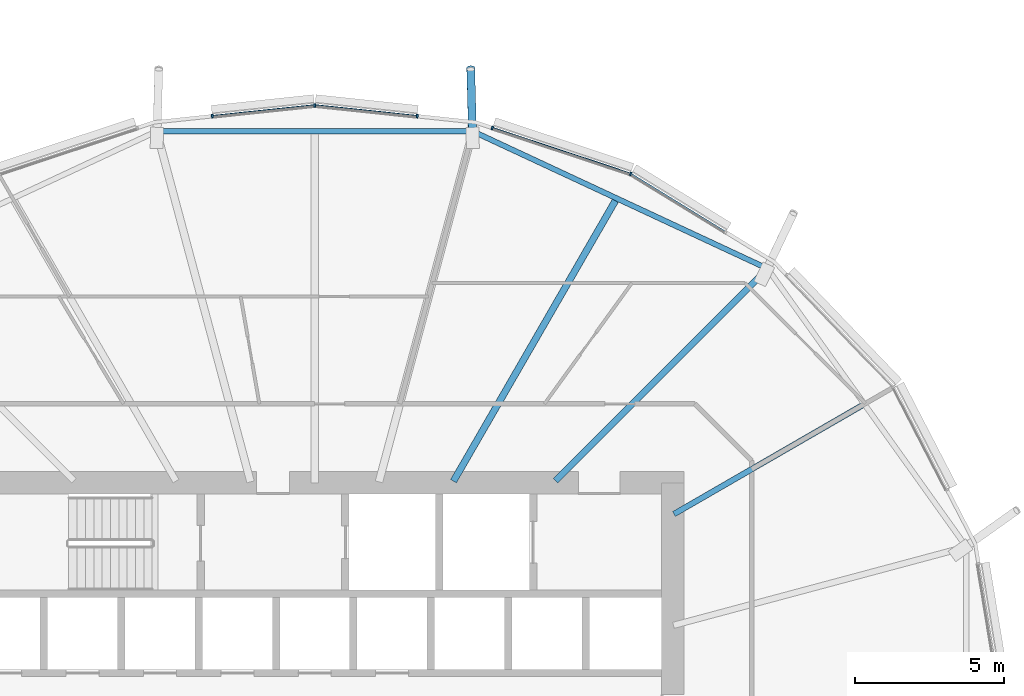
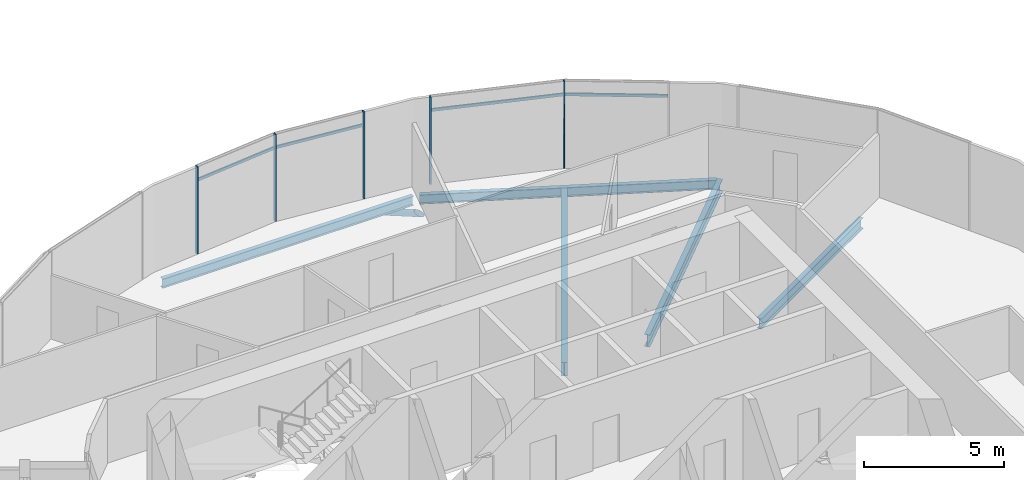
# One storey, part 11 of 38: 10 members, 5 beams, 1 element without a shape of its own.
"""IFC4 building model written with IfcOpenShell, lengths in metres."""

from ifc_helpers import new_model, si_unit, direction, frame, origin, origin_2d, place, context, subcontext, project, spatial, rectangle, hollow_circle, i_section, extrude, clip, halfspace, material, material_profile, profile_set, type_object, element, aggregate, save


model = new_model("IFC4")

# Units and contexts
model_context = context("Model", 3, precision=1e-05, world=origin(), true_north=direction((0.0, 1.0)))
body_context = subcontext(model_context, "Body", "Model", "MODEL_VIEW")
ifc_project = project(units=[si_unit("LENGTHUNIT", "METRE"), si_unit("AREAUNIT", "SQUARE_METRE"), si_unit("VOLUMEUNIT", "CUBIC_METRE"), si_unit("PLANEANGLEUNIT", "RADIAN"), si_unit("MASSUNIT", "GRAM", prefix="KILO")], contexts=[model_context])

# Site, building, storey
site_placement = place(None, origin())
site = spatial("IfcSite", under=ifc_project, at=site_placement, CompositionType="ELEMENT")
building_placement = place(site_placement, origin())
building = spatial("IfcBuilding", under=site, at=building_placement, Name="Rimbun Link Towers", CompositionType="ELEMENT")
storey_placement = place(building_placement, frame((0.0, 0.0, 119.60009765625)))
storey = spatial("IfcBuildingStorey", under=building, at=storey_placement, Name="L29", CompositionType="ELEMENT", Elevation=119.60009765625)

# Curtain wall, members
ifc_material_1 = material(Name="Aluminium 6063-T6 and low-iron glass", Category="aluminium")
curtain_wall_type = type_object("IfcCurtainWallType", Name="CW1-Z2 unitised vision wall (zone 2)", PredefinedType="NOTDEFINED", material=ifc_material_1)
curtain_wall_placement = place(storey_placement, origin())
curtain_wall = element("IfcCurtainWall", 1, at=curtain_wall_placement, inside=storey, type_object=curtain_wall_type, Name="CW1 L29 T1", PredefinedType="NOTDEFINED")
ifc_material_2 = material(Name="Aluminium 6063-T6", Category="aluminium")
ifc_material_profile_1 = material_profile(ifc_material_2, rectangle(XDim=0.1201171875, YDim=0.06005859375, at=origin_2d()), Name="MULLION 60X120")
ifc_profile_set_1 = profile_set([ifc_material_profile_1], Name="Aluminium 6063-T6")
member_type_1 = type_object("IfcMemberType", Name="CW1 mullion 60X120", PredefinedType="MULLION", material=ifc_profile_set_1)
member_1_placement = place(storey_placement, frame((-21.15380859375, 18.364013671875, 0.0), z_axis=(0.0, 0.0, 1.0), x_axis=(0.421704717158, 0.9067332196, 0.0)))
member_1 = element("IfcMember", 2, at=member_1_placement, type_object=member_type_1, Name="CW1 mullion", PredefinedType="MULLION", context=body_context, shape_type="SweptSolid", body=[
    extrude(rectangle(XDim=0.1201171875, YDim=0.06005859375, at=origin_2d()), origin(), (0.0, 0.0, 1.0), 3.7998046875),
])
member_2_placement = place(storey_placement, frame((-25.793701171875, 19.90185546875, 0.0), z_axis=(0.0, 0.0, 1.0), x_axis=(0.314563424855, 0.949236457235, 0.0)))
member_2 = element("IfcMember", 3, at=member_2_placement, type_object=member_type_1, Name="CW1 mullion", PredefinedType="MULLION", context=body_context, shape_type="SweptSolid", body=[
    extrude(rectangle(XDim=0.1201171875, YDim=0.06005859375, at=origin_2d()), origin(), (0.0, 0.0, 1.0), 3.7998046875),
])
member_3_placement = place(storey_placement, frame((-31.75, 20.6591796875, 0.0), z_axis=(0.0, 0.0, 1.0), x_axis=(0.0, 1.0, 0.0)))
member_3 = element("IfcMember", 4, at=member_3_placement, type_object=member_type_1, Name="CW1 mullion", PredefinedType="MULLION", context=body_context, shape_type="SweptSolid", body=[
    extrude(rectangle(XDim=0.1201171875, YDim=0.06005859375, at=origin_2d()), origin(), (0.0, 0.0, 1.0), 3.7998046875),
])
member_4_placement = place(storey_placement, frame((-28.31494140625, 20.297607421875, 0.0), z_axis=(0.0, 0.0, 1.0), x_axis=(0.104748434017, 0.994498750915, 0.0)))
member_4 = element("IfcMember", 5, at=member_4_placement, type_object=member_type_1, Name="CW1 mullion", PredefinedType="MULLION", context=body_context, shape_type="SweptSolid", body=[
    extrude(rectangle(XDim=0.1201171875, YDim=0.06005859375, at=origin_2d()), origin(), (0.0, 0.0, 1.0), 3.7998046875),
])
member_5_placement = place(storey_placement, frame((-35.18505859375, 20.297607421875, 0.0), z_axis=(0.0, 0.0, 1.0), x_axis=(-0.104748434017, 0.994498750915, 0.0)))
member_5 = element("IfcMember", 6, at=member_5_placement, type_object=member_type_1, Name="CW1 mullion", PredefinedType="MULLION", context=body_context, shape_type="SweptSolid", body=[
    extrude(rectangle(XDim=0.1201171875, YDim=0.06005859375, at=origin_2d()), origin(), (0.0, 0.0, 1.0), 3.7998046875),
])
ifc_material_3 = material(Name="Aluminium 6063-T6", Category="aluminium")
ifc_material_profile_2 = material_profile(ifc_material_3, rectangle(XDim=0.06005859375, YDim=0.1201171875, at=origin_2d()), Name="TRANSOM 60X120")
ifc_profile_set_2 = profile_set([ifc_material_profile_2], Name="Aluminium 6063-T6")
member_type_2 = type_object("IfcMemberType", Name="CW1 transom 60X120", PredefinedType="USERDEFINED", material=ifc_profile_set_2)
member_6_placement = place(storey_placement, frame((-21.123046875, 18.34326171875, 3.199951171875), z_axis=(0.852165495326, -0.523272365576, 0.0), x_axis=(0.523272365576, 0.852165495326, 0.0)))
member_6 = element("IfcMember", 7, at=member_6_placement, type_object=member_type_2, Name="CW1 transom", ObjectType="TRANSOM", PredefinedType="USERDEFINED", context=body_context, shape_type="SweptSolid", body=[
    extrude(rectangle(XDim=0.06005859375, YDim=0.1201171875, at=origin_2d()), origin(), (0.0, 0.0, 1.0), 3.666259765625),
])
member_7_placement = place(storey_placement, frame((-25.765625, 19.890625, 3.199951171875), z_axis=(0.94923382133, -0.314571378933, 0.0), x_axis=(0.314571378933, 0.94923382133, 0.0)))
member_7 = element("IfcMember", 8, at=member_7_placement, type_object=member_type_2, Name="CW1 transom", ObjectType="TRANSOM", PredefinedType="USERDEFINED", context=body_context, shape_type="SweptSolid", body=[
    extrude(rectangle(XDim=0.06005859375, YDim=0.1201171875, at=origin_2d()), origin(), (0.0, 0.0, 1.0), 4.8212890625),
])
member_8_placement = place(storey_placement, frame((-31.714111328125, 20.653564453125, 3.199951171875), z_axis=(0.994502688422, -0.104711043933, 0.0), x_axis=(0.104711043933, 0.994502688422, 0.0)))
member_8 = element("IfcMember", 9, at=member_8_placement, type_object=member_type_2, Name="CW1 transom", ObjectType="TRANSOM", PredefinedType="USERDEFINED", context=body_context, shape_type="SweptSolid", body=[
    extrude(rectangle(XDim=0.06005859375, YDim=0.1201171875, at=origin_2d()), origin(), (0.0, 0.0, 1.0), 3.3876953125),
])
member_9_placement = place(storey_placement, frame((-35.155029296875, 20.298828125, 3.199951171875), z_axis=(0.994502688422, 0.104711043933, 0.0), x_axis=(-0.104711043933, 0.994502688422, 0.0)))
member_9 = element("IfcMember", 10, at=member_9_placement, type_object=member_type_2, Name="CW1 transom", ObjectType="TRANSOM", PredefinedType="USERDEFINED", context=body_context, shape_type="SweptSolid", body=[
    extrude(rectangle(XDim=0.06005859375, YDim=0.1201171875, at=origin_2d()), origin(), (0.0, 0.0, 1.0), 3.3876953125),
])
aggregate(curtain_wall, [member_1, member_2, member_3, member_4, member_5, member_6, member_7, member_8, member_9])

# Member
ifc_material_4 = material(Name="Steel S355J2H", Category="steel")
ifc_material_profile_3 = material_profile(ifc_material_4, hollow_circle(Radius=0.136474609375, WallThickness=0.012451171875, at=origin_2d()), Name="CHS 273x12.5")
ifc_profile_set_3 = profile_set([ifc_material_profile_3], Name="Steel S355J2H")
member_type_3 = type_object("IfcMemberType", Name="Floor edge link CHS 273x12.5", PredefinedType="BRACE", material=ifc_profile_set_3)
member_10_placement = place(storey_placement, frame((-26.46044921875, 19.740966796875, -0.9619140625), z_axis=(-0.023737253194, 0.869133688655, -0.494007261136), x_axis=(-0.999627252375, -0.027301214415, 0.0)))
element("IfcMember", 11, at=member_10_placement, inside=storey, type_object=member_type_3, Name="Floor edge link T1 L29 05", PredefinedType="BRACE", context=body_context, shape_type="Clipping", body=[
    clip(extrude(hollow_circle(Radius=0.136474609375, WallThickness=0.012451171875, at=origin_2d()), frame((0.0, 0.0, -0.500732421875)), (0.0, 0.0, 1.0), 3.01025390625), halfspace(frame((0.0, 0.0, -0.2353515625), z_axis=(0.0, 0.869457776976, -0.494007261136)), False)),
])

# Beams
ifc_material_5 = material(Name="Steel S355J2", Category="steel")
ifc_material_profile_4 = material_profile(ifc_material_5, i_section(OverallWidth=0.177978515625, OverallDepth=0.406494140625, WebThickness=0.0078125, FlangeThickness=0.0126953125, at=origin_2d()), Name="UB 406x178x60")
ifc_profile_set_4 = profile_set([ifc_material_profile_4], Name="Steel S355J2")
beam_type_1 = type_object("IfcBeamType", Name="UB 406x178x60", PredefinedType="BEAM", material=ifc_profile_set_4)
beam_1_placement = place(storey_placement, frame((-16.66796875, 15.231201171875, -0.36328125), z_axis=(-0.906387823698, 0.422446580116, 0.0), x_axis=(-0.422446580116, -0.906387823698, 0.0)))
element("IfcBeam", 12, at=beam_1_placement, inside=storey, type_object=beam_type_1, Name="Edge beam T1 L29 03-05", PredefinedType="BEAM", context=body_context, shape_type="SweptSolid", body=[
    extrude(i_section(OverallWidth=0.177978515625, OverallDepth=0.406494140625, WebThickness=0.0078125, FlangeThickness=0.0126953125, at=origin_2d()), origin(), (0.0, 0.0, 1.0), 10.65966796875),
])
beam_2_placement = place(storey_placement, frame((-26.579833984375, 19.789306640625, -0.36328125), z_axis=(-1.0, 0.0, 0.0), x_axis=(0.0, -1.0, 0.0)))
element("IfcBeam", 13, at=beam_2_placement, inside=storey, type_object=beam_type_1, Name="Edge beam T1 L29 05-07", PredefinedType="BEAM", context=body_context, shape_type="SweptSolid", body=[
    extrude(i_section(OverallWidth=0.177978515625, OverallDepth=0.406494140625, WebThickness=0.0078125, FlangeThickness=0.0126953125, at=origin_2d()), origin(), (0.0, 0.0, 1.0), 10.34033203125),
])
ifc_material_6 = material(Name="Steel S355J2", Category="steel")
ifc_material_profile_5 = material_profile(ifc_material_6, i_section(OverallWidth=0.18994140625, OverallDepth=0.453369140625, WebThickness=0.008544921875, FlangeThickness=0.0126953125, at=origin_2d()), Name="UB 457x191x67")
ifc_profile_set_5 = profile_set([ifc_material_profile_5], Name="Steel S355J2")
beam_type_2 = type_object("IfcBeamType", Name="UB 457x191x67", PredefinedType="BEAM", material=ifc_profile_set_5)
beam_3_placement = place(storey_placement, frame((-19.70166015625, 6.9560546875, -0.38671875), z_axis=(0.866028075408, 0.499995372584, 0.0), x_axis=(-0.499995372584, 0.866028075408, 0.0)))
element("IfcBeam", 14, at=beam_3_placement, inside=storey, type_object=beam_type_2, Name="Radial beam T1 L29 02", PredefinedType="BEAM", context=body_context, shape_type="SweptSolid", body=[
    extrude(i_section(OverallWidth=0.18994140625, OverallDepth=0.453369140625, WebThickness=0.008544921875, FlangeThickness=0.0126953125, at=origin_2d()), origin(), (0.0, 0.0, 1.0), 7.27880859375),
])
ifc_material_7 = material(Name="Steel S355J2", Category="steel")
ifc_material_profile_6 = material_profile(ifc_material_7, i_section(OverallWidth=0.209228515625, OverallDepth=0.533203125, WebThickness=0.010009765625, FlangeThickness=0.015625, at=origin_2d()), Name="UB 533x210x92")
ifc_profile_set_6 = profile_set([ifc_material_profile_6], Name="Steel S355J2")
beam_type_3 = type_object("IfcBeamType", Name="UB 533x210x92", PredefinedType="BEAM", material=ifc_profile_set_6)
beam_4_placement = place(storey_placement, frame((-23.67529296875, 8.07470703125, -0.426513671875), z_axis=(0.707106781187, 0.707106781187, 0.0), x_axis=(-0.707106781187, 0.707106781187, 0.0)))
element("IfcBeam", 15, at=beam_4_placement, inside=storey, type_object=beam_type_3, Name="Radial beam T1 L29 03", PredefinedType="BEAM", context=body_context, shape_type="SweptSolid", body=[
    extrude(i_section(OverallWidth=0.209228515625, OverallDepth=0.533203125, WebThickness=0.010009765625, FlangeThickness=0.015625, at=origin_2d()), origin(), (0.0, 0.0, 1.0), 10.0537109375),
])
ifc_material_8 = material(Name="Steel S355J2", Category="steel")
ifc_material_profile_7 = material_profile(ifc_material_8, i_section(OverallWidth=0.2275390625, OverallDepth=0.6025390625, WebThickness=0.010498046875, FlangeThickness=0.014892578125, at=origin_2d()), Name="UB 610x229x101")
ifc_profile_set_7 = profile_set([ifc_material_profile_7], Name="Steel S355J2")
beam_type_4 = type_object("IfcBeamType", Name="UB 610x229x101", PredefinedType="BEAM", material=ifc_profile_set_7)
beam_5_placement = place(storey_placement, frame((-27.097900390625, 8.057861328125, -0.46142578125), z_axis=(0.49999814997, 0.866026471897, 0.0), x_axis=(-0.866026471897, 0.49999814997, 0.0)))
element("IfcBeam", 16, at=beam_5_placement, inside=storey, type_object=beam_type_4, Name="Radial beam T1 L29 04", PredefinedType="BEAM", context=body_context, shape_type="SweptSolid", body=[
    extrude(i_section(OverallWidth=0.2275390625, OverallDepth=0.6025390625, WebThickness=0.010498046875, FlangeThickness=0.014892578125, at=origin_2d()), origin(), (0.0, 0.0, 1.0), 10.859375),
])

save(model, "model.ifc")
